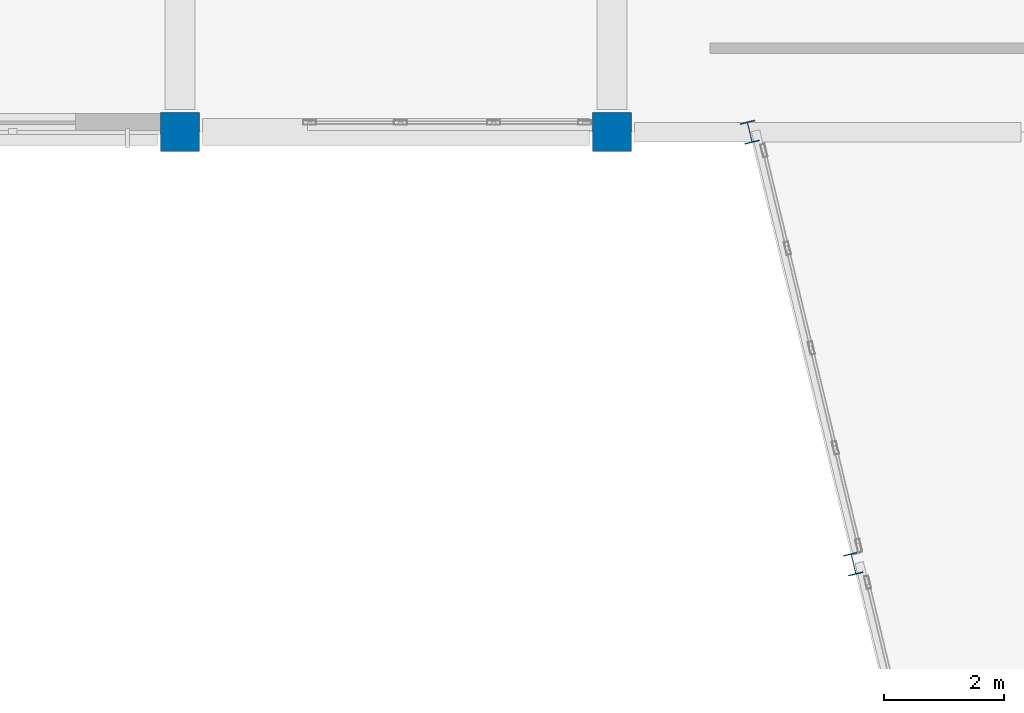
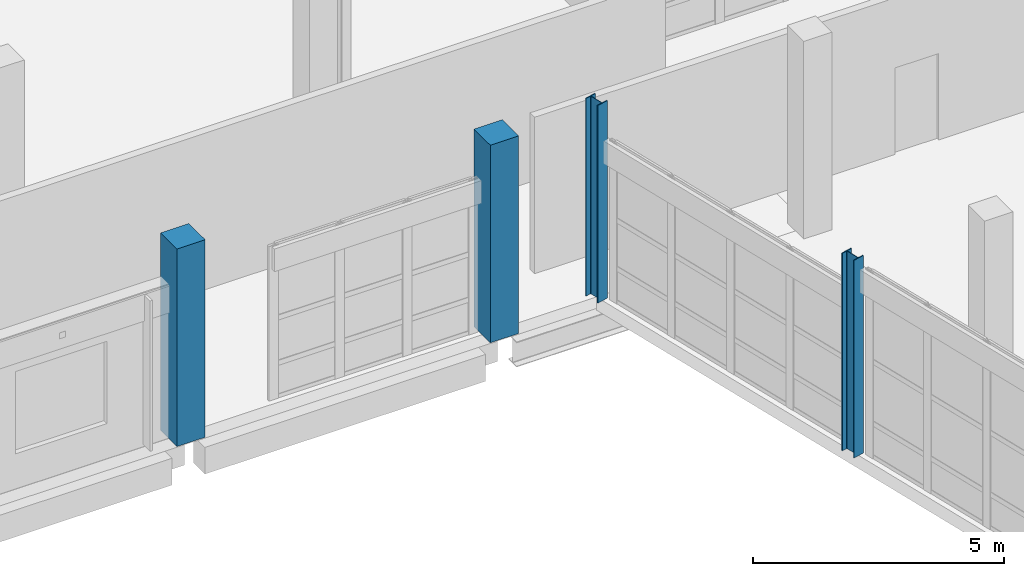
# One storey, part 6 of 127: 4 columns.
"""IFC4 building model written with IfcOpenShell, lengths in metres."""

from ifc_helpers import new_model, si_unit, direction, frame, origin, origin_2d, place, context, subcontext, project, spatial, rectangle, i_section, extrude, material, material_profile, profile_set, type_object, element, save


model = new_model("IFC4")

# Units and contexts
model_context = context("Model", 3, precision=1e-05, world=origin(), true_north=direction((0.0, 1.0)))
body_context = subcontext(model_context, "Body", "Model", "MODEL_VIEW")
ifc_project = project(units=[si_unit("LENGTHUNIT", "METRE"), si_unit("AREAUNIT", "SQUARE_METRE"), si_unit("VOLUMEUNIT", "CUBIC_METRE"), si_unit("PLANEANGLEUNIT", "RADIAN"), si_unit("MASSUNIT", "GRAM", prefix="KILO")], contexts=[model_context])

# Site, building, storey
site_placement = place(None, origin())
site = spatial("IfcSite", under=ifc_project, at=site_placement, CompositionType="ELEMENT")
building_placement = place(site_placement, origin())
building = spatial("IfcBuilding", under=site, at=building_placement, Name="Kalmorath City Hall", CompositionType="ELEMENT")
storey_placement = place(building_placement, frame((0.0, 0.0, 5.39990234375)))
storey = spatial("IfcBuildingStorey", under=building, at=storey_placement, Name="L01", CompositionType="ELEMENT", Elevation=5.39990234375)

# Columns
ifc_material_1 = material(Name="Concrete C50/60", Category="concrete")
ifc_material_profile_1 = material_profile(ifc_material_1, rectangle(XDim=0.64990234375, YDim=0.64990234375, at=origin_2d()), Name="RC-COL-650X650")
ifc_profile_set_1 = profile_set([ifc_material_profile_1], Name="Concrete C50/60")
column_type_1 = type_object("IfcColumnType", Name="Concrete column 650x650", PredefinedType="COLUMN", material=ifc_profile_set_1)
for number, where, z_axis, x_axis, name in (
    (1, (115.199951171875, 93.60009765625, 0.0), (0.0, 0.0, 1.0), (1.0, 0.0, 0.0), "L01 column C5 (17/14)"),
    (2, (122.39990234375, 93.60009765625, 0.0), (0.0, 0.0, 1.0), (1.0, 0.0, 0.0), "L01 column C5 (18/14)"),
):
    element("IfcColumn", number, at=place(storey_placement, frame(where, z_axis=z_axis, x_axis=x_axis)), inside=storey, type_object=column_type_1, Name=name, PredefinedType="COLUMN", context=body_context, shape_type="SweptSolid", body=[
        extrude(rectangle(XDim=0.64990234375, YDim=0.64990234375, at=origin_2d()), origin(), (0.0, 0.0, 1.0), 4.800048828125),
    ])
ifc_material_2 = material(Name="Steel ASTM A992 Grade 50", Category="steel")
ifc_material_profile_2 = material_profile(ifc_material_2, i_section(OverallWidth=0.256103515625, OverallDepth=0.360107421875, WebThickness=0.011474609375, FlangeThickness=0.02001953125, FilletRadius=0.014892578125, at=origin_2d()), Name="W14X74")
ifc_profile_set_2 = profile_set([ifc_material_profile_2], Name="Steel ASTM A992 Grade 50")
column_type_2 = type_object("IfcColumnType", Name="Steel wide-flange column W14X74", PredefinedType="COLUMN", material=ifc_profile_set_2)
for number, where, z_axis, x_axis, name in (
    (3, (126.4287109375, 86.39990234375, 0.0), (0.0, 0.0, 1.0), (0.972369920398, 0.233445363856, 0.0), "L01 library splay column SC4-7"),
    (4, (124.699951171875, 93.60009765625, 0.0), (0.0, 0.0, 1.0), (0.972369920398, 0.233445363856, 0.0), "L01 library splay column SC4-8"),
):
    element("IfcColumn", number, at=place(storey_placement, frame(where, z_axis=z_axis, x_axis=x_axis)), inside=storey, type_object=column_type_2, Name=name, PredefinedType="COLUMN", context=body_context, shape_type="SweptSolid", body=[
        extrude(i_section(OverallWidth=0.256103515625, OverallDepth=0.360107421875, WebThickness=0.011474609375, FlangeThickness=0.02001953125, FilletRadius=0.014892578125, at=origin_2d()), origin(), (0.0, 0.0, 1.0), 4.800048828125),
    ])

save(model, "model.ifc")
